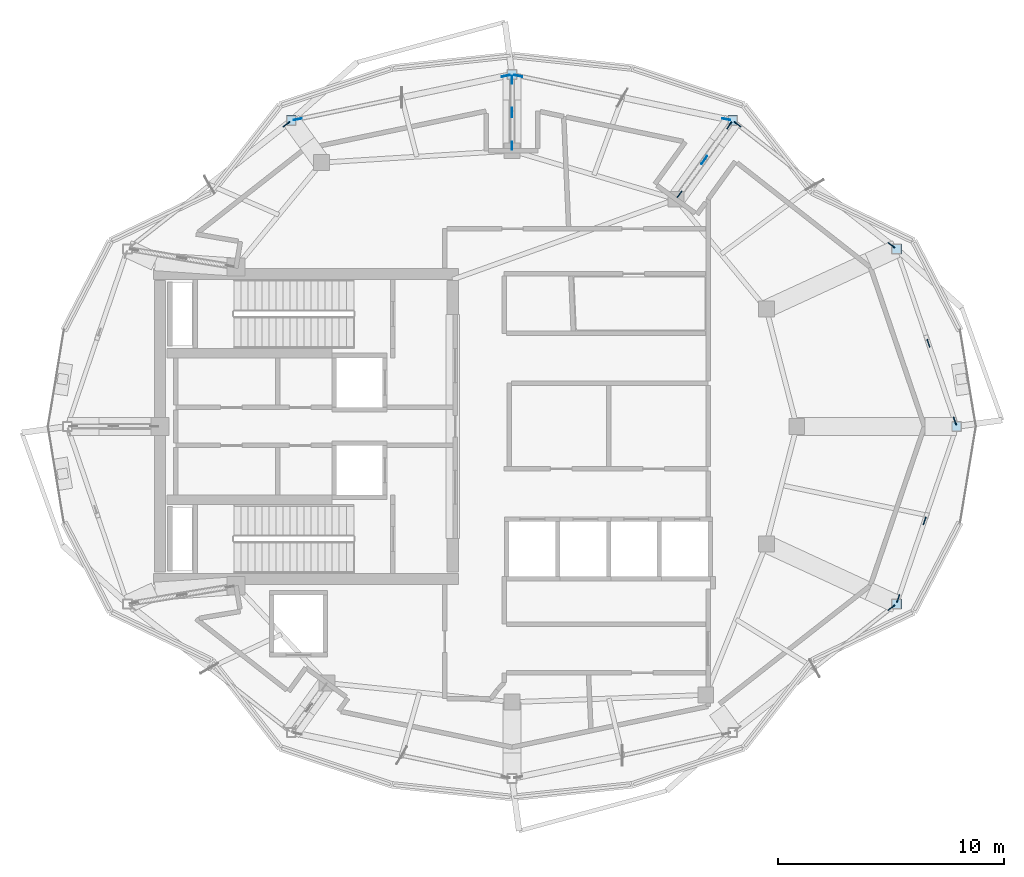
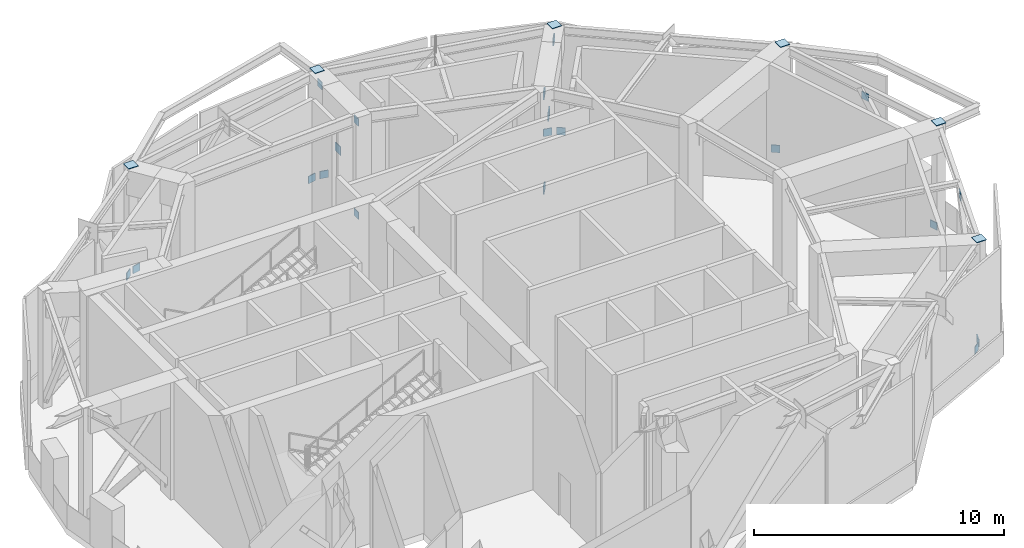
# One storey, part 5 of 9: 26 plates.
"""IFC4 building model written with IfcOpenShell, lengths in metres."""

from ifc_helpers import new_model, si_unit, direction, frame, origin, origin_2d, place, context, subcontext, project, spatial, rectangle, extrude, material, layer, layer_set, type_object, element, save


model = new_model("IFC4")

# Units and contexts
model_context = context("Model", 3, precision=1e-05, world=origin(), true_north=direction((0.0, 1.0)))
body_context = subcontext(model_context, "Body", "Model", "MODEL_VIEW")
ifc_project = project(units=[si_unit("LENGTHUNIT", "METRE"), si_unit("AREAUNIT", "SQUARE_METRE"), si_unit("VOLUMEUNIT", "CUBIC_METRE"), si_unit("PLANEANGLEUNIT", "RADIAN"), si_unit("MASSUNIT", "GRAM", prefix="KILO")], contexts=[model_context])

# Site, building, storey
site_placement = place(None, origin())
site = spatial("IfcSite", under=ifc_project, at=site_placement, CompositionType="ELEMENT")
building_placement = place(site_placement, origin())
building = spatial("IfcBuilding", under=site, at=building_placement, Name="Kolvaren Gate Tower and Convention Centre", CompositionType="ELEMENT")
storey_placement = place(building_placement, frame((0.0, 0.0, 275.60009765625)))
storey = spatial("IfcBuildingStorey", under=building, at=storey_placement, Name="L75", CompositionType="ELEMENT", Elevation=275.60009765625)

# Plates
ifc_material = material(Name="Structural steel plate ASTM A572 Grade 345 MPa", Category="steel")
ifc_layer_1 = layer(ifc_material, 0.030029296875)
ifc_layer_set_1 = layer_set([ifc_layer_1], Name="Structural steel plate ASTM A572 Grade 345 MPa")
plate_type_1 = type_object("IfcPlateType", Name="STR-PL-CAP-30", PredefinedType="USERDEFINED", material=ifc_layer_set_1)
for number, where, z_axis, x_axis, name in (
    (1, (49.80615234375, 27.0, 5.716796875), (0.0, 0.0, 1.0), (1.0, 0.0, 0.0), "Supercolumn L75 TP-01 Welded Steel Cap Plate"),
    (2, (47.1337890625, 34.856201171875, 5.716796875), (0.0, 0.0, 1.0), (1.0, 0.0, 0.0), "Supercolumn L75 TP-02 Welded Steel Cap Plate"),
    (3, (39.893310546875, 40.53515625, 5.716796875), (0.0, 0.0, 1.0), (1.0, 0.0, 0.0), "Supercolumn L75 TP-03 Welded Steel Cap Plate"),
    (4, (30.125, 42.574951171875, 5.716796875), (0.0, 0.0, 1.0), (1.0, 0.0, 0.0), "Supercolumn L75 TP-04 Welded Steel Cap Plate"),
    (5, (20.356689453125, 40.53515625, 5.716796875), (0.0, 0.0, 1.0), (1.0, 0.0, 0.0), "Supercolumn L75 TP-05 Welded Steel Cap Plate"),
    (6, (47.1337890625, 19.143798828125, 5.716796875), (0.0, 0.0, 1.0), (1.0, 0.0, 0.0), "Supercolumn L75 TP-12 Welded Steel Cap Plate"),
):
    element("IfcPlate", number, at=place(storey_placement, frame(where, z_axis=z_axis, x_axis=x_axis)), inside=storey, type_object=plate_type_1, Name=name, ObjectType="END PLATE", PredefinedType="USERDEFINED", context=body_context, shape_type="SweptSolid", body=[
        extrude(rectangle(XDim=0.43994140625, YDim=0.43994140625, at=origin_2d()), origin(), (0.0, 0.0, 1.0), 0.030029296875),
    ])
ifc_layer_2 = layer(ifc_material, 0.035888671875)
ifc_layer_set_2 = layer_set([ifc_layer_2], Name="Structural steel plate ASTM A572 Grade 345 MPa")
plate_type_2 = type_object("IfcPlateType", Name="STR-PL-END-36", PredefinedType="USERDEFINED", material=ifc_layer_set_2)
for number, where, z_axis, x_axis, name in (
    (7, (49.722412109375, 27.24609375, 0.3994140625), (0.0, 0.0, 1.0), (-0.322049246691, 0.946722917598, 0.0), "Structural Brace End Connection Gusset Plate EGP-298"),
    (8, (48.5537109375, 30.681884765625, 5.00146484375), (0.0, 0.0, 1.0), (-0.322049246691, 0.946722917598, 0.0), "Structural Brace End Connection Gusset Plate EGP-299"),
    (9, (46.916259765625, 35.026611328125, 0.38623046875), (0.0, 0.0, 1.0), (-0.786838088485, 0.617159478992, 0.0), "Structural Brace End Connection Gusset Plate EGP-300"),
    (10, (40.110595703125, 40.364501953125, 0.38623046875), (0.0, 0.0, 1.0), (0.786847782706, -0.617147119292, 0.0), "Structural Brace End Connection Gusset Plate EGP-301"),
    (11, (39.6103515625, 40.59423828125, 0.37451171875), (0.0, 0.0, 1.0), (-0.978885230681, 0.204410628769, 0.0), "Structural Brace End Connection Gusset Plate EGP-302"),
    (12, (30.407958984375, 42.515869140625, 0.37451171875), (0.0, 0.0, 1.0), (0.978885230681, -0.204410628769, 0.0), "Structural Brace End Connection Gusset Plate EGP-303"),
    (13, (29.842041015625, 42.515869140625, 0.37451171875), (0.0, 0.0, 1.0), (-0.978885230681, -0.204410628769, 0.0), "Structural Brace End Connection Gusset Plate EGP-304"),
    (14, (20.6396484375, 40.59423828125, 0.37451171875), (0.0, 0.0, 1.0), (0.978885230681, 0.204410628769, 0.0), "Structural Brace End Connection Gusset Plate EGP-305"),
    (15, (20.139404296875, 40.364501953125, 0.38623046875), (0.0, 0.0, 1.0), (-0.786847782706, -0.617147119292, 0.0), "Structural Brace End Connection Gusset Plate EGP-306"),
    (16, (46.916259765625, 18.973388671875, 0.38623046875), (0.0, 0.0, 1.0), (-0.786838088485, -0.617159478992, 0.0), "Structural Brace End Connection Gusset Plate EGP-319"),
    (17, (47.217529296875, 19.39013671875, 0.3994140625), (0.0, 0.0, 1.0), (0.32204263731, 0.946725165903, 0.0), "Structural Brace End Connection Gusset Plate EGP-320"),
    (18, (48.38623046875, 22.82568359375, 5.00146484375), (0.0, 0.0, 1.0), (0.32204263731, 0.946725165903, 0.0), "Structural Brace End Connection Gusset Plate EGP-321"),
    (19, (37.536865234375, 37.270263671875, 0.3955078125), (0.0, 0.0, 1.0), (0.585218110326, 0.810875923521, 0.0), "Structural Brace End Connection Gusset Plate EGP-331"),
    (20, (39.73779296875, 40.31982421875, 5.005859375), (0.0, 0.0, 1.0), (0.585218110326, 0.810875923521, 0.0), "Structural Brace End Connection Gusset Plate EGP-332"),
    (21, (37.536865234375, 37.270263671875, 5.005859375), (0.0, 0.0, 1.0), (-0.585202542518, -0.810887158753, 0.0), "Structural Brace End Connection Gusset Plate EGP-333"),
    (22, (30.125, 39.4267578125, 0.42333984375), (0.0, 0.0, 1.0), (0.0, 1.0, 0.0), "Structural Brace End Connection Gusset Plate EGP-334"),
    (23, (30.125, 42.34814453125, 4.97802734375), (0.0, 0.0, 1.0), (0.0, 1.0, 0.0), "Structural Brace End Connection Gusset Plate EGP-335"),
    (24, (30.125, 39.4267578125, 4.97802734375), (0.0, 0.0, 1.0), (0.0, -1.0, 0.0), "Structural Brace End Connection Gusset Plate EGP-336"),
):
    element("IfcPlate", number, at=place(storey_placement, frame(where, z_axis=z_axis, x_axis=x_axis)), inside=storey, type_object=plate_type_2, Name=name, ObjectType="GUSSET PLATE", PredefinedType="USERDEFINED", context=body_context, shape_type="SweptSolid", body=[
        extrude(rectangle(XDim=0.360107421875, YDim=0.035888671875, at=origin_2d()), origin(), (0.0, 0.0, 1.0), 0.360107421875),
    ])
ifc_layer_3 = layer(ifc_material, 0.035888671875)
ifc_layer_set_3 = layer_set([ifc_layer_3], Name="Structural steel plate ASTM A572 Grade 345 MPa")
plate_type_3 = type_object("IfcPlateType", Name="STR-PL-GUSSET-36", PredefinedType="USERDEFINED", material=ifc_layer_set_3)
for number, where, z_axis, x_axis, name in (
    (25, (38.63720703125, 38.795166015625, 2.670654296875), (0.0, 0.0, 1.0), (0.585218110326, 0.810875923521, 0.0), "Outrigger Crossing Gusset Plate GP-OUT-L75-04X"),
    (26, (30.125, 40.887451171875, 2.670654296875), (0.0, 0.0, 1.0), (0.0, 1.0, 0.0), "Outrigger Crossing Gusset Plate GP-OUT-L75-05X"),
):
    element("IfcPlate", number, at=place(storey_placement, frame(where, z_axis=z_axis, x_axis=x_axis)), inside=storey, type_object=plate_type_3, Name=name, ObjectType="GUSSET PLATE", PredefinedType="USERDEFINED", context=body_context, shape_type="SweptSolid", body=[
        extrude(rectangle(XDim=0.419921875, YDim=0.035888671875, at=origin_2d()), origin(), (0.0, 0.0, 1.0), 0.419921875),
    ])

save(model, "model.ifc")
